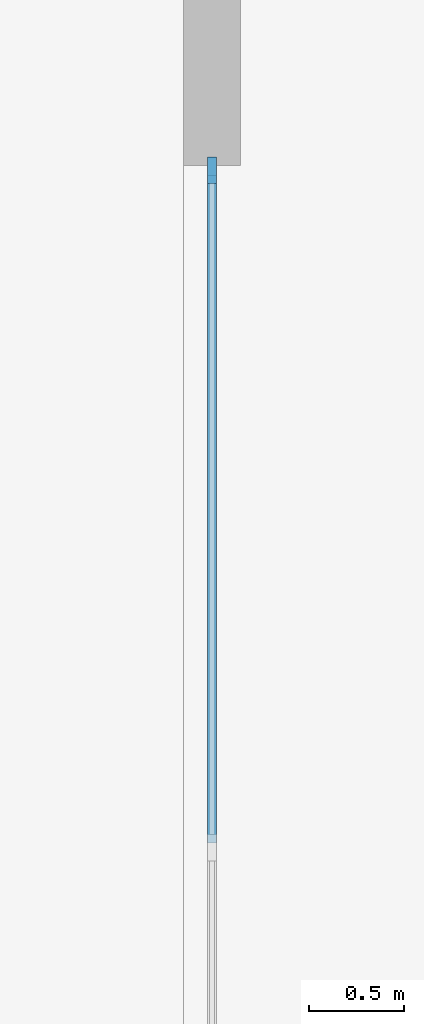
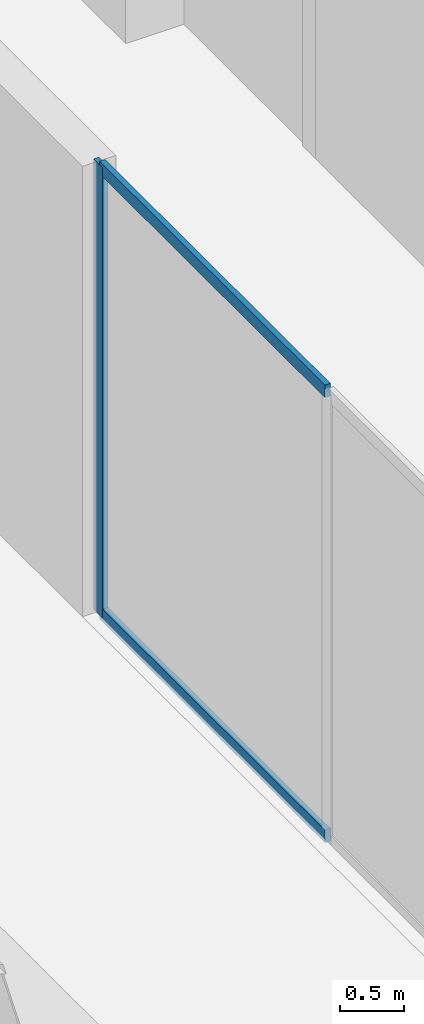
# One storey, part 3 of 22: 3 members, 1 element without a shape of its own.
"""IFC4 building model written with IfcOpenShell, lengths in metres."""

import ifcopenshell
import ifcopenshell.guid

model = None  # the IFC model being written
_history = None  # IfcOwnerHistory: only IFC2X3 demands one
_inside = {}  # id of a spatial element -> (the spatial element, [elements in it])
_under = {}  # id of a project, library or spatial element -> (it, [spatial elements below it])
_declared = {}  # id of a project -> (the project, [libraries it declares])
_typed = {}  # id of a type object -> (the type object, [elements of that type])
_made_of = {}  # id of a material, layer set ... -> (it, [elements and type objects made of it])


def new_model(schema):
    """Start an empty IFC model of exactly this schema.

    Asked for "IFC4X3", IfcOpenShell would pick the latest addendum, in which some entities
    have other attributes; the version numbers below select the first issue.
    IFC2X3 requires an IfcOwnerHistory on every rooted entity: one is made here for all.
    """
    global model, _history
    if schema == "IFC4X3":
        model = ifcopenshell.file(schema_version=(4, 3, 0, 0))
    else:
        model = ifcopenshell.file(schema=schema)
    _inside.clear()
    _under.clear()
    _declared.clear()
    _typed.clear()
    _made_of.clear()
    _history = None
    if model.schema == "IFC2X3":
        org = make("IfcOrganization", Name="unknown")
        user = make(
            "IfcPersonAndOrganization",
            ThePerson=make("IfcPerson", FamilyName="unknown"),
            TheOrganization=org,
        )
        app = make(
            "IfcApplication",
            ApplicationDeveloper=org,
            Version="unknown",
            ApplicationFullName="unknown",
            ApplicationIdentifier="unknown",
        )
        _history = make(
            "IfcOwnerHistory",
            OwningUser=user,
            OwningApplication=app,
            ChangeAction="ADDED",
            CreationDate=0,
        )
    return model


def make(cls, **values):
    """One entity of the class cls with the attributes given. An attribute that is None is left unset."""
    return model.create_entity(
        cls, **{name: value for name, value in values.items() if value is not None}
    )


def rooted(cls, **values):
    """An entity with a GlobalId (a new one), such as an element, a storey or a relation."""
    return make(cls, GlobalId=ifcopenshell.guid.new(), OwnerHistory=_history, **values)


def si_unit(unit_type, name, prefix=None):
    """IfcSIUnit, for example si_unit("LENGTHUNIT", "METRE", prefix="MILLI")."""
    return make("IfcSIUnit", UnitType=unit_type, Prefix=prefix, Name=name)


def assignment(units):
    """IfcUnitAssignment: the units of a project."""
    return None if units is None else make("IfcUnitAssignment", Units=units)


def point(xyz):
    """IfcCartesianPoint."""
    return None if xyz is None else make("IfcCartesianPoint", Coordinates=xyz)


def direction(xyz):
    """IfcDirection."""
    return None if xyz is None else make("IfcDirection", DirectionRatios=xyz)


def frame(location, z_axis=None, x_axis=None):
    """IfcAxis2Placement3D, a coordinate frame: its origin and axes. An axis left out is left unset."""
    return make(
        "IfcAxis2Placement3D",
        Location=point(location),
        Axis=direction(z_axis),
        RefDirection=direction(x_axis),
    )


def frame_2d(location, x_axis=None):
    """IfcAxis2Placement2D, a coordinate frame in the plane: its origin and x axis."""
    return make(
        "IfcAxis2Placement2D", Location=point(location), RefDirection=direction(x_axis)
    )


def origin():
    """The frame at (0, 0, 0) with its axes left unset."""
    return frame((0.0, 0.0, 0.0))


def origin_2d():
    """The frame at (0, 0) in the plane with its x axis left unset."""
    return frame_2d((0.0, 0.0))


def place(relative_to, where):
    """IfcLocalPlacement: puts the frame where relative to a parent placement (None: the world)."""
    return make(
        "IfcLocalPlacement", PlacementRelTo=relative_to, RelativePlacement=where
    )


def context(
    kind, dimensions, precision=None, world=None, true_north=None, identifier=None
):
    """IfcGeometricRepresentationContext, for example the 3D "Model" context."""
    return make(
        "IfcGeometricRepresentationContext",
        ContextIdentifier=identifier,
        ContextType=kind,
        CoordinateSpaceDimension=dimensions,
        Precision=precision,
        WorldCoordinateSystem=world,
        TrueNorth=true_north,
    )


def subcontext(parent, identifier, kind, view, scale=None):
    """IfcGeometricRepresentationSubContext, for example "Body" below "Model"."""
    return make(
        "IfcGeometricRepresentationSubContext",
        ContextIdentifier=identifier,
        ContextType=kind,
        ParentContext=parent,
        TargetScale=scale,
        TargetView=view,
    )


def project(units=None, contexts=None):
    """IfcProject with its units and contexts."""
    return rooted(
        "IfcProject",
        Name="project",
        RepresentationContexts=contexts,
        UnitsInContext=assignment(units),
    )


def spatial(cls, under=None, at=None, **own):
    """A site, building, storey or space (cls), placed at a placement, below another one or the project."""
    s = rooted(cls, ObjectPlacement=at, **own)
    if under is not None:
        _under.setdefault(under.id(), (under, []))[1].append(s)
    return s


def profile(cls, at=None, kind="AREA", **sizes):
    """A parametric profile (cls). Its sizes go by their IFC names, for example OverallWidth=200.0."""
    return make(cls, ProfileType=kind, Position=at, **sizes)


def rectangle(**sizes):
    """IfcRectangleProfileDef."""
    return profile("IfcRectangleProfileDef", **sizes)


def extrude(swept, where, along, depth):
    """IfcExtrudedAreaSolid: the profile swept, set in the frame where, extruded along a direction by depth."""
    return make(
        "IfcExtrudedAreaSolid",
        SweptArea=swept,
        Position=where,
        ExtrudedDirection=direction(along),
        Depth=depth,
    )


def shape(context_of_items, identifier, shape_type, items):
    """IfcShapeRepresentation: the items that make up one representation, for example the "Body"."""
    return make(
        "IfcShapeRepresentation",
        ContextOfItems=context_of_items,
        RepresentationIdentifier=identifier,
        RepresentationType=shape_type,
        Items=items,
    )


def material(Name=None, Category=None):
    """IfcMaterial."""
    return make("IfcMaterial", Name=Name, Category=Category)


def material_profile(
    of_material, cross_section, Name=None, Category=None, Priority=None
):
    """IfcMaterialProfile: a cross section and its material."""
    return make(
        "IfcMaterialProfile",
        Name=Name,
        Material=of_material,
        Profile=cross_section,
        Priority=Priority,
        Category=Category,
    )


def profile_set(profiles, Name=None, composite=None):
    """IfcMaterialProfileSet."""
    return make(
        "IfcMaterialProfileSet",
        Name=Name,
        MaterialProfiles=profiles,
        CompositeProfile=composite,
    )


def made_of(thing, what):
    """Note that an element or type object is made of a material, layer set ...; save() writes the relation."""
    if what is not None:
        _made_of.setdefault(what.id(), (what, []))[1].append(thing)
    return thing


def type_object(cls, material=None, **own):
    """A type object (cls), such as IfcWallType, which elements share."""
    return made_of(rooted(cls, **own), material)


def element(
    cls,
    number,
    at=None,
    inside=None,
    cuts=None,
    type_object=None,
    material=None,
    context=None,
    identifier="Body",
    shape_type=None,
    held_by="IfcProductDefinitionShape",
    body=None,
    shapes=None,
    **own,
):
    """One element of the class cls, such as IfcWall. Its Tag is "e" and its number.

    at: its placement. inside: the storey or other place that contains it. cuts: it is an
    opening in that element (IfcRelVoidsElement). A single representation is given by context,
    identifier, shape_type and body (its items); several are given by shapes. held_by: the class
    of the entity that holds the representations. save() writes the other relations.
    """
    e = rooted(cls, Tag="e%d" % number, ObjectPlacement=at, **own)
    if body is not None:
        shapes = [shape(context, identifier, shape_type, body)]
    if shapes is not None:
        e.Representation = make(held_by, Representations=shapes)
    if inside is not None:
        _inside.setdefault(inside.id(), (inside, []))[1].append(e)
    if cuts is not None:
        rooted(
            "IfcRelVoidsElement", RelatingBuildingElement=cuts, RelatedOpeningElement=e
        )
    if type_object is not None:
        _typed.setdefault(type_object.id(), (type_object, []))[1].append(e)
    return made_of(e, material)


def aggregate(whole, parts):
    """IfcRelAggregates: a whole, such as a stair, and the parts it consists of."""
    return rooted("IfcRelAggregates", RelatingObject=whole, RelatedObjects=parts)


def save(model, path):
    """Write the relations noted so far, then the file.

    IfcRelAggregates (storeys below a building ...), IfcRelContainedInSpatialStructure (elements
    in a storey), IfcRelDefinesByType, IfcRelAssociatesMaterial and IfcRelDeclares: one each for
    every whole, place, type object, material and project.
    """
    for whole, parts in _under.values():
        aggregate(whole, parts)
    for where, things in _inside.values():
        rooted(
            "IfcRelContainedInSpatialStructure",
            RelatedElements=things,
            RelatingStructure=where,
        )
    for kind, things in _typed.values():
        rooted("IfcRelDefinesByType", RelatedObjects=things, RelatingType=kind)
    for what, things in _made_of.values():
        rooted("IfcRelAssociatesMaterial", RelatedObjects=things, RelatingMaterial=what)
    for by, libraries in _declared.values():
        rooted("IfcRelDeclares", RelatingContext=by, RelatedDefinitions=libraries)
    model.write(path)


model = new_model("IFC4")

# Units and contexts
model_context = context("Model", 3, precision=1e-05, world=origin(), true_north=direction((0.0, 1.0)))
body_context = subcontext(model_context, "Body", "Model", "MODEL_VIEW")
ifc_project = project(units=[si_unit("LENGTHUNIT", "METRE"), si_unit("AREAUNIT", "SQUARE_METRE"), si_unit("VOLUMEUNIT", "CUBIC_METRE"), si_unit("PLANEANGLEUNIT", "RADIAN"), si_unit("MASSUNIT", "GRAM", prefix="KILO")], contexts=[model_context])

# Site, building, storey
site_placement = place(None, origin())
site = spatial("IfcSite", under=ifc_project, at=site_placement, CompositionType="ELEMENT")
building_placement = place(site_placement, origin())
building = spatial("IfcBuilding", under=site, at=building_placement, Name="Khepri Terraces", CompositionType="ELEMENT")
storey_placement = place(building_placement, frame((0.0, 0.0, 22.199951171875)))
storey = spatial("IfcBuildingStorey", under=building, at=storey_placement, Name="L04", CompositionType="ELEMENT", Elevation=22.199951171875)

# Curtain wall, members
ifc_material_1 = material(Name="Anodised aluminium bronze curtain wall", Category="aluminium")
curtain_wall_type = type_object("IfcCurtainWallType", Name="CW-SYS6-LOUNGE", PredefinedType="NOTDEFINED", material=ifc_material_1)
curtain_wall_placement = place(storey_placement, origin())
curtain_wall = element("IfcCurtainWall", 1, at=curtain_wall_placement, inside=storey, type_object=curtain_wall_type, Name="Curtain wall CW6 L04 W", PredefinedType="NOTDEFINED")
ifc_material_2 = material(Name="Anodised aluminium bronze", Category="aluminium")
ifc_material_profile_1 = material_profile(ifc_material_2, rectangle(XDim=0.050048828125, YDim=0.139892578125, at=origin_2d()), Name="Anodised aluminium bronze", Category="aluminium")
ifc_profile_set_1 = profile_set([ifc_material_profile_1], Name="Anodised aluminium bronze")
member_type_1 = type_object("IfcMemberType", Name="CW-MULLION-50x140", PredefinedType="MULLION", material=ifc_profile_set_1)
member_1_placement = place(storey_placement, frame((-29.85009765625, -15.625, 0.0), z_axis=(0.0, 0.0, 1.0), x_axis=(1.0, 0.0, 0.0)))
member_1 = element("IfcMember", 2, at=member_1_placement, type_object=member_type_1, Name="CW6 mullion 1", PredefinedType="MULLION", context=body_context, shape_type="SweptSolid", body=[
    extrude(rectangle(XDim=0.050048828125, YDim=0.139892578125, at=origin_2d()), origin(), (0.0, 0.0, 1.0), 4.300048828125),
])
ifc_material_profile_2 = material_profile(ifc_material_2, rectangle(XDim=0.050048828125, YDim=0.1201171875, at=origin_2d()), Name="Anodised aluminium bronze", Category="aluminium")
ifc_profile_set_2 = profile_set([ifc_material_profile_2], Name="Anodised aluminium bronze")
member_type_2 = type_object("IfcMemberType", Name="CW-TRANSOM-50x120", PredefinedType="USERDEFINED", material=ifc_profile_set_2)
member_2_placement = place(storey_placement, frame((-29.85009765625, -15.64990234375, 0.025146484375), z_axis=(0.0, -1.0, 0.0), x_axis=(1.0, 0.0, 0.0)))
member_2 = element("IfcMember", 3, at=member_2_placement, type_object=member_type_2, Name="CW6 transom 1.1", ObjectType="TRANSOM", PredefinedType="USERDEFINED", context=body_context, shape_type="SweptSolid", body=[
    extrude(rectangle(XDim=0.050048828125, YDim=0.1201171875, at=origin_2d()), origin(), (0.0, 0.0, 1.0), 3.525146484375),
])
member_3_placement = place(storey_placement, frame((-29.85009765625, -15.64990234375, 4.275146484375), z_axis=(0.0, -1.0, 0.0), x_axis=(1.0, 0.0, 0.0)))
member_3 = element("IfcMember", 4, at=member_3_placement, type_object=member_type_2, Name="CW6 transom 1.2", ObjectType="TRANSOM", PredefinedType="USERDEFINED", context=body_context, shape_type="SweptSolid", body=[
    extrude(rectangle(XDim=0.050048828125, YDim=0.1201171875, at=origin_2d()), origin(), (0.0, 0.0, 1.0), 3.525146484375),
])
aggregate(curtain_wall, [member_1, member_2, member_3])

save(model, "model.ifc")
